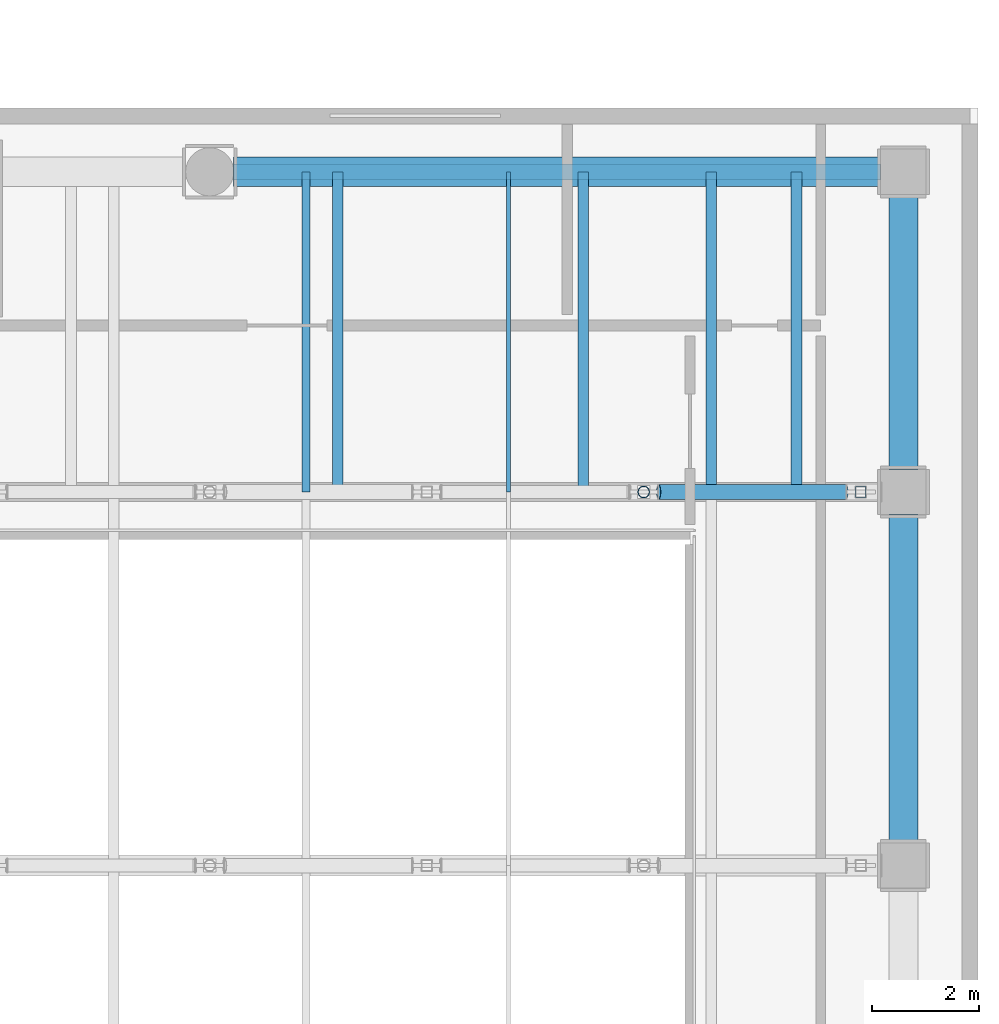
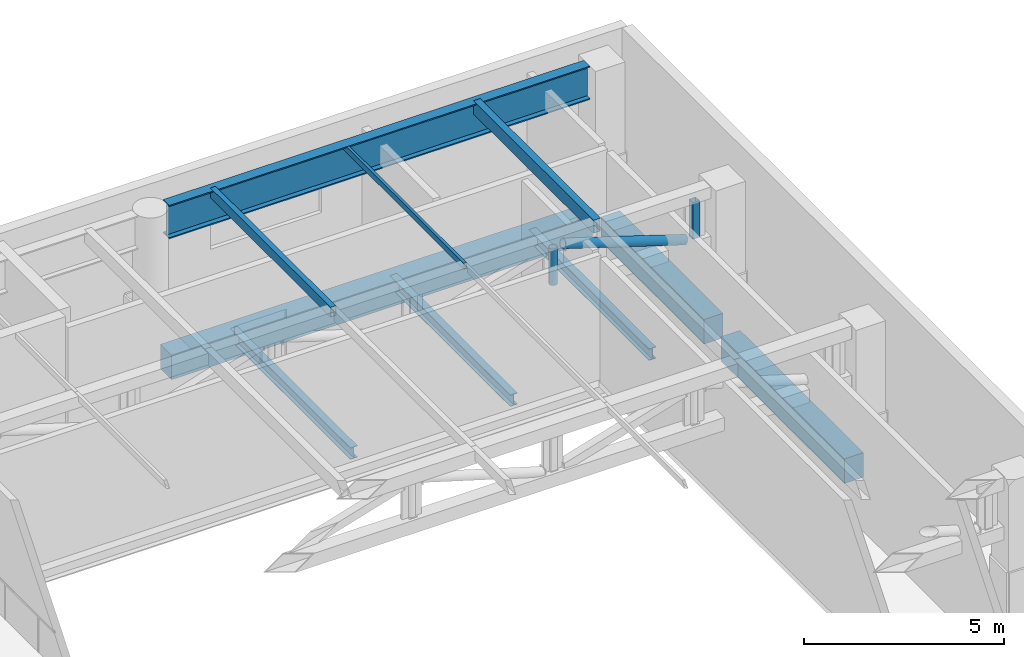
# One storey, part 13 of 25: 7 beams, 6 members.
"""IFC4 building model written with IfcOpenShell, lengths in metres."""

from ifc_helpers import new_model, si_unit, direction, frame, origin, origin_2d, place, context, subcontext, project, spatial, rectangle, hollow_rectangle, hollow_circle, i_section, extrude, material, material_profile, profile_set, type_object, element, save


model = new_model("IFC4")

# Units and contexts
model_context = context("Model", 3, precision=1e-05, world=origin(), true_north=direction((0.0, 1.0)))
body_context = subcontext(model_context, "Body", "Model", "MODEL_VIEW")
ifc_project = project(units=[si_unit("LENGTHUNIT", "METRE"), si_unit("AREAUNIT", "SQUARE_METRE"), si_unit("VOLUMEUNIT", "CUBIC_METRE"), si_unit("PLANEANGLEUNIT", "RADIAN"), si_unit("MASSUNIT", "GRAM", prefix="KILO")], contexts=[model_context])

# Site, building, storey
site_placement = place(None, origin())
site = spatial("IfcSite", under=ifc_project, at=site_placement, CompositionType="ELEMENT")
building_placement = place(site_placement, origin())
building = spatial("IfcBuilding", under=site, at=building_placement, Name="Solanera Arch Residences", CompositionType="ELEMENT")
storey_placement = place(building_placement, frame((0.0, 0.0, 17.800048828125)))
storey = spatial("IfcBuildingStorey", under=building, at=storey_placement, Name="L04", CompositionType="ELEMENT", Elevation=17.800048828125)

# Beams
ifc_material_1 = material(Name="Concrete C40/50 (f'c = 45 MPa)", Category="concrete")
ifc_material_profile_1 = material_profile(ifc_material_1, rectangle(XDim=0.550048828125, YDim=0.75, at=origin_2d()))
ifc_profile_set_1 = profile_set([ifc_material_profile_1], Name="Concrete C40/50 (f'c = 45 MPa)")
beam_type_1 = type_object("IfcBeamType", Name="Primary Beam RC-BM-550X750", PredefinedType="BEAM", material=ifc_profile_set_1)
beam_1_placement = place(storey_placement, frame((81.800048828125, 34.824951171875, -0.655029296875), z_axis=(0.0, 1.0, 0.0), x_axis=(-1.0, 0.0, 0.0)))
element("IfcBeam", 1, at=beam_1_placement, inside=storey, type_object=beam_type_1, Name="BM-L04-HE-4", PredefinedType="BEAM", context=body_context, shape_type="SweptSolid", body=[
    extrude(rectangle(XDim=0.550048828125, YDim=0.75, at=origin_2d()), origin(), (0.0, 0.0, 1.0), 6.150146484375),
])
beam_2_placement = place(storey_placement, frame((81.800048828125, 41.824951171875, -0.655029296875), z_axis=(0.0, 1.0, 0.0), x_axis=(-1.0, 0.0, 0.0)))
element("IfcBeam", 2, at=beam_2_placement, inside=storey, type_object=beam_type_1, Name="BM-L04-HE-5", PredefinedType="BEAM", context=body_context, shape_type="SweptSolid", body=[
    extrude(rectangle(XDim=0.550048828125, YDim=0.75, at=origin_2d()), origin(), (0.0, 0.0, 1.0), 5.150146484375),
])
beam_3_placement = place(storey_placement, frame((69.25, 47.39990234375, -0.655029296875), z_axis=(1.0, 0.0, 0.0), x_axis=(0.0, 1.0, 0.0)))
element("IfcBeam", 3, at=beam_3_placement, inside=storey, type_object=beam_type_1, Name="BM-L04-HN-2", PredefinedType="BEAM", context=body_context, shape_type="SweptSolid", body=[
    extrude(rectangle(XDim=0.550048828125, YDim=0.75, at=origin_2d()), origin(), (0.0, 0.0, 1.0), 12.125),
])

# Members
ifc_material_2 = material(Name="Steel S355 (ASTM A992 / A572 Grade 50)", Category="steel")
ifc_material_profile_2 = material_profile(ifc_material_2, hollow_rectangle(XDim=0.080078125, YDim=0.179931640625, WallThickness=0.006103515625, at=origin_2d()))
ifc_profile_set_2 = profile_set([ifc_material_profile_2], Name="Steel S355 (ASTM A992 / A572 Grade 50)")
member_type_1 = type_object("IfcMemberType", Name="Roof Purlin HSS180X80X6", PredefinedType="PURLIN", material=ifc_profile_set_2)
member_1_placement = place(storey_placement, frame((74.39990234375, 41.39990234375, 4.10986328125), z_axis=(0.0, 1.0, 0.0), x_axis=(-1.0, 0.0, 0.0)))
element("IfcMember", 4, at=member_1_placement, inside=storey, type_object=member_type_1, Name="Sports Hall Roof Purlin 5.5", PredefinedType="PURLIN", context=body_context, shape_type="SweptSolid", body=[
    extrude(hollow_rectangle(XDim=0.080078125, YDim=0.179931640625, WallThickness=0.006103515625, at=origin_2d()), origin(), (0.0, 0.0, 1.0), 6.0),
])
ifc_material_3 = material(Name="Steel S355 (ASTM A992 / A572 Grade 50)", Category="steel")
ifc_material_profile_3 = material_profile(ifc_material_3, hollow_rectangle(XDim=0.14990234375, YDim=0.300048828125, WallThickness=0.010009765625, at=origin_2d()))
ifc_profile_set_3 = profile_set([ifc_material_profile_3], Name="Steel S355 (ASTM A992 / A572 Grade 50)")
member_type_2 = type_object("IfcMemberType", Name="Roof Purlin HSS300X150X10", PredefinedType="PURLIN", material=ifc_profile_set_3)
member_2_placement = place(storey_placement, frame((70.60009765625, 41.39990234375, 4.050048828125), z_axis=(0.0, 1.0, 0.0), x_axis=(-1.0, 0.0, 0.0)))
element("IfcMember", 5, at=member_2_placement, inside=storey, type_object=member_type_2, Name="Sports Hall Roof Purlin 4.5", PredefinedType="PURLIN", context=body_context, shape_type="SweptSolid", body=[
    extrude(hollow_rectangle(XDim=0.14990234375, YDim=0.300048828125, WallThickness=0.010009765625, at=origin_2d()), origin(), (0.0, 0.0, 1.0), 6.0),
])
ifc_material_4 = material(Name="Steel S355 (ASTM A992 / A572 Grade 50)", Category="steel")
ifc_material_profile_4 = material_profile(ifc_material_4, hollow_rectangle(XDim=0.199951171875, YDim=0.39990234375, WallThickness=0.012451171875, at=origin_2d()))
ifc_profile_set_4 = profile_set([ifc_material_profile_4], Name="Steel S355 (ASTM A992 / A572 Grade 50)")
member_type_3 = type_object("IfcMemberType", Name="Roof Purlin HSS400X200X12.5", PredefinedType="PURLIN", material=ifc_profile_set_4)
member_3_placement = place(storey_placement, frame((78.199951171875, 41.39990234375, 4.0), z_axis=(0.0, 1.0, 0.0), x_axis=(-1.0, 0.0, 0.0)))
element("IfcMember", 6, at=member_3_placement, inside=storey, type_object=member_type_3, Name="Sports Hall Roof Purlin 6.5", PredefinedType="PURLIN", context=body_context, shape_type="SweptSolid", body=[
    extrude(hollow_rectangle(XDim=0.199951171875, YDim=0.39990234375, WallThickness=0.012451171875, at=origin_2d()), origin(), (0.0, 0.0, 1.0), 6.0),
])

# Beams
ifc_material_5 = material(Name="Steel S355 (ASTM A992 / A572 Grade 50)", Category="steel")
ifc_material_profile_5 = material_profile(ifc_material_5, i_section(OverallWidth=0.205078125, OverallDepth=0.35400390625, WebThickness=0.009521484375, FlangeThickness=0.016845703125, at=origin_2d()))
ifc_profile_set_5 = profile_set([ifc_material_profile_5], Name="Steel S355 (ASTM A992 / A572 Grade 50)")
beam_type_2 = type_object("IfcBeamType", Name="Secondary Joist W360X79", PredefinedType="JOIST", material=ifc_profile_set_5)
for number, where, z_axis, x_axis, name in (
    (7, (71.199951171875, 41.39990234375, -0.45703125), (0.0, 1.0, 0.0), (-1.0, 0.0, 0.0), "BM-L04-HJN-71"),
    (8, (75.800048828125, 41.39990234375, -0.45703125), (0.0, 1.0, 0.0), (-1.0, 0.0, 0.0), "BM-L04-HJN-75"),
    (9, (79.800048828125, 41.39990234375, -0.45703125), (0.0, 1.0, 0.0), (-1.0, 0.0, 0.0), "BM-L04-HJN-79"),
):
    element("IfcBeam", number, at=place(storey_placement, frame(where, z_axis=z_axis, x_axis=x_axis)), inside=storey, type_object=beam_type_2, Name=name, PredefinedType="JOIST", context=body_context, shape_type="SweptSolid", body=[
        extrude(i_section(OverallWidth=0.205078125, OverallDepth=0.35400390625, WebThickness=0.009521484375, FlangeThickness=0.016845703125, at=origin_2d()), origin(), (0.0, 0.0, 1.0), 6.0),
    ])

# Member
ifc_material_6 = material(Name="Steel S355 (ASTM A992 / A572 Grade 50)", Category="steel")
ifc_material_profile_6 = material_profile(ifc_material_6, hollow_circle(Radius=0.109619140625, WallThickness=0.008056640625, at=origin_2d()))
ifc_profile_set_6 = profile_set([ifc_material_profile_6], Name="Steel S355 (ASTM A992 / A572 Grade 50)")
member_type_4 = type_object("IfcMemberType", Name="Strut CHS219.1X8", PredefinedType="STRUT", material=ifc_profile_set_6)
member_4_placement = place(storey_placement, frame((76.93310546875, 41.39990234375, 2.695068359375), z_axis=(0.0, 0.0, 1.0), x_axis=(1.0, 0.0, 0.0)))
element("IfcMember", 10, at=member_4_placement, inside=storey, type_object=member_type_4, Name="Sports Hall Roof Truss 4 Vertical Post 5", PredefinedType="STRUT", context=body_context, shape_type="SweptSolid", body=[
    extrude(hollow_circle(Radius=0.109619140625, WallThickness=0.008056640625, at=origin_2d()), origin(), (0.0, 0.0, 1.0), 1.10986328125),
])

# Beam
ifc_material_7 = material(Name="Steel S355 (ASTM A992 / A572 Grade 50)", Category="steel")
ifc_material_profile_7 = material_profile(ifc_material_7, i_section(OverallWidth=0.300048828125, OverallDepth=1.02001953125, WebThickness=0.0205078125, FlangeThickness=0.0361328125, at=origin_2d()))
ifc_profile_set_7 = profile_set([ifc_material_profile_7], Name="Steel S355 (ASTM A992 / A572 Grade 50)")
beam_type_3 = type_object("IfcBeamType", Name="Transfer Girder W1000X371", PredefinedType="BEAM", material=ifc_profile_set_7)
beam_4_placement = place(storey_placement, frame((69.25, 47.39990234375, 3.68994140625), z_axis=(1.0, 0.0, 0.0), x_axis=(0.0, 1.0, 0.0)))
element("IfcBeam", 11, at=beam_4_placement, inside=storey, type_object=beam_type_3, Name="BM-L04-HRF-N2", PredefinedType="BEAM", context=body_context, shape_type="SweptSolid", body=[
    extrude(i_section(OverallWidth=0.300048828125, OverallDepth=1.02001953125, WebThickness=0.0205078125, FlangeThickness=0.0361328125, at=origin_2d()), origin(), (0.0, 0.0, 1.0), 12.125),
])

# Members
ifc_material_8 = material(Name="Steel S355 (ASTM A992 / A572 Grade 50)", Category="steel")
ifc_material_profile_8 = material_profile(ifc_material_8, hollow_circle(Radius=0.136474609375, WallThickness=0.010009765625, at=origin_2d()))
ifc_profile_set_8 = profile_set([ifc_material_profile_8], Name="Steel S355 (ASTM A992 / A572 Grade 50)")
member_type_5 = type_object("IfcMemberType", Name="Truss Diagonal CHS273X10", PredefinedType="BRACE", material=ifc_profile_set_8)
member_5_placement = place(storey_placement, frame((77.212890625, 41.39990234375, 3.804931640625), z_axis=(0.953397921967, 0.0, -0.301715764237), x_axis=(0.0, 1.0, 0.0)))
element("IfcMember", 12, at=member_5_placement, inside=storey, type_object=member_type_5, Name="Sports Hall Roof Truss 4 Web Diagonal 6", PredefinedType="BRACE", context=body_context, shape_type="SweptSolid", body=[
    extrude(hollow_circle(Radius=0.136474609375, WallThickness=0.010009765625, at=origin_2d()), origin(), (0.0, 0.0, 1.0), 3.678466796875),
])
ifc_material_9 = material(Name="Steel S355 (ASTM A992 / A572 Grade 50)", Category="steel")
ifc_material_profile_9 = material_profile(ifc_material_9, hollow_rectangle(XDim=0.199951171875, YDim=0.199951171875, WallThickness=0.010009765625, at=origin_2d()))
ifc_profile_set_9 = profile_set([ifc_material_profile_9], Name="Steel S355 (ASTM A992 / A572 Grade 50)")
member_type_6 = type_object("IfcMemberType", Name="Truss Post HSS200X200X10", PredefinedType="STRUT", material=ifc_profile_set_9)
member_6_placement = place(storey_placement, frame((81.0, 41.39990234375, 2.695068359375), z_axis=(0.0, 0.0, 1.0), x_axis=(1.0, 0.0, 0.0)))
element("IfcMember", 13, at=member_6_placement, inside=storey, type_object=member_type_6, Name="Sports Hall Roof Truss 4 Vertical Post 6", PredefinedType="STRUT", context=body_context, shape_type="SweptSolid", body=[
    extrude(hollow_rectangle(XDim=0.199951171875, YDim=0.199951171875, WallThickness=0.010009765625, at=origin_2d()), origin(), (0.0, 0.0, 1.0), 1.10986328125),
])

save(model, "model.ifc")
